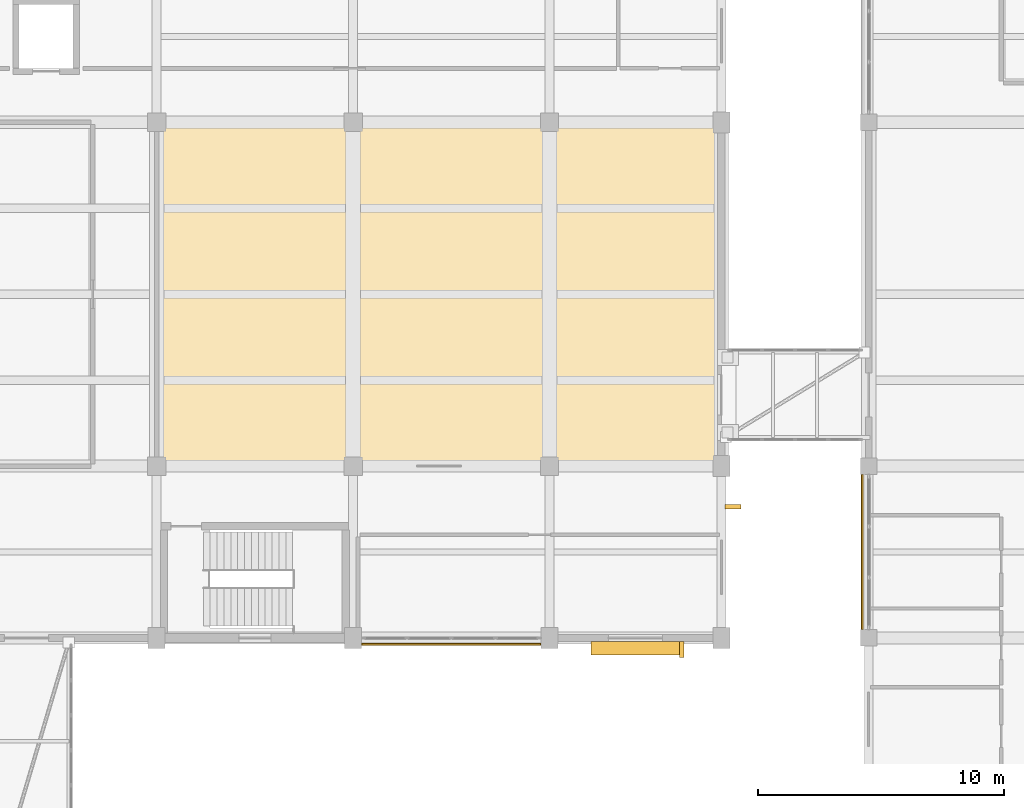
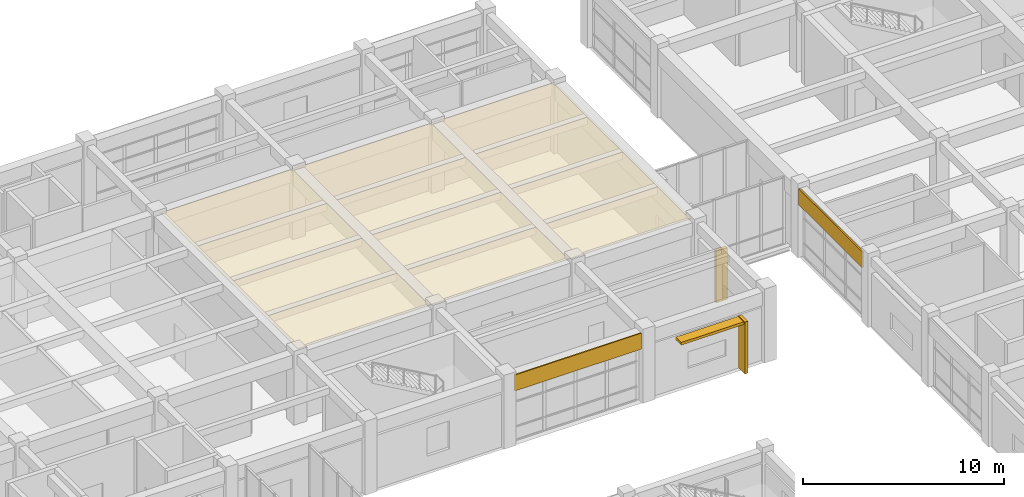
# One storey, part 68 of 72: 3 coverings, 3 shading devices.
"""IFC4 building model written with IfcOpenShell, lengths in metres."""

from ifc_helpers import new_model, si_unit, direction, frame, origin, origin_2d, place, context, subcontext, project, spatial, polyline, rectangle, outline, extrude, material, layer, layer_set, type_object, element, save


model = new_model("IFC4")

# Units and contexts
model_context = context("Model", 3, precision=1e-05, world=origin(), true_north=direction((0.0, 1.0)))
body_context = subcontext(model_context, "Body", "Model", "MODEL_VIEW")
ifc_project = project(units=[si_unit("LENGTHUNIT", "METRE"), si_unit("AREAUNIT", "SQUARE_METRE"), si_unit("VOLUMEUNIT", "CUBIC_METRE"), si_unit("PLANEANGLEUNIT", "RADIAN"), si_unit("MASSUNIT", "GRAM", prefix="KILO")], contexts=[model_context])

# Site, building, storey
site_placement = place(None, origin())
site = spatial("IfcSite", under=ifc_project, at=site_placement, CompositionType="ELEMENT")
building_placement = place(site_placement, origin())
building = spatial("IfcBuilding", under=site, at=building_placement, Name="Naurynzar Civic Courthouse", CompositionType="ELEMENT")
storey_placement = place(building_placement, frame((0.0, 0.0, 9.89990234375)))
storey = spatial("IfcBuildingStorey", under=building, at=storey_placement, Name="L03", CompositionType="ELEMENT", Elevation=9.89990234375)

# Coverings
ifc_material_1 = material(Name="Acoustic Oak Timber Grade A", Category="wood")
ifc_layer_1 = layer(ifc_material_1, 0.044921875)
ifc_layer_set_1 = layer_set([ifc_layer_1], Name="CEIL-ACOUSTIC-OAK-45")
covering_type_1 = type_object("IfcCoveringType", Name="CEIL-ACOUSTIC-OAK-45", PredefinedType="CEILING", material=ifc_layer_set_1)
covering_1_placement = place(storey_placement, frame((0.0, 0.0, 4.114990234375)))
element("IfcCovering", 1, at=covering_1_placement, inside=storey, type_object=covering_type_1, Name="Acoustic suspended ceiling Civil Chamber Courtroom L03-E", PredefinedType="CEILING", context=body_context, shape_type="SweptSolid", body=[
    extrude(outline(polyline([(123.840087890625, 51.159912109375), (101.159912109375, 51.159912109375), (101.159912109375, 64.840087890625), (123.840087890625, 64.840087890625), (123.840087890625, 51.159912109375)])), origin(), (0.0, 0.0, 1.0), 0.045166015625),
])
ifc_material_2 = material(Name="Precast concrete C40/50", Category="concrete")
ifc_layer_2 = layer(ifc_material_2, 0.080078125)
ifc_layer_set_2 = layer_set([ifc_layer_2], Name="COV-CLAD-PRECAST-80")
covering_type_2 = type_object("IfcCoveringType", Name="COV-CLAD-PRECAST-80", PredefinedType="CLADDING", material=ifc_layer_set_2)
covering_2_placement = place(storey_placement, frame((113.0, 43.7451171875, 3.22998046875), z_axis=(0.0, 0.0, 1.0), x_axis=(-1.0, 0.0, 0.0)))
element("IfcCovering", 2, at=covering_2_placement, inside=storey, type_object=covering_type_2, Name="V2 precast spandrel cladding 28", PredefinedType="CLADDING", context=body_context, shape_type="SweptSolid", body=[
    extrude(rectangle(XDim=7.300048828125, YDim=0.080078125, at=origin_2d()), origin(), (0.0, 0.0, 1.0), 0.969970703125),
])
covering_3_placement = place(storey_placement, frame((129.7451171875, 47.5, 3.22998046875), z_axis=(0.0, 0.0, 1.0), x_axis=(0.0, 1.0, 0.0)))
element("IfcCovering", 3, at=covering_3_placement, inside=storey, type_object=covering_type_2, Name="V5 precast spandrel cladding 92", PredefinedType="CLADDING", context=body_context, shape_type="SweptSolid", body=[
    extrude(rectangle(XDim=6.324951171875, YDim=0.080078125, at=origin_2d()), origin(), (0.0, 0.0, 1.0), 0.969970703125),
])

# Shading devices
ifc_material_3 = material(Name="Precast concrete C40/50", Category="concrete")
shading_device_type_1 = type_object("IfcShadingDeviceType", Name="SHD-FIN-V650", PredefinedType="JALOUSIE", material=ifc_material_3)
for number, where, z_axis, x_axis, name in (
    (4, (124.469970703125, 49.344970703125, 0.0400390625), (0.0, 0.0, 1.0), (0.0, -1.0, 0.0), "V2 vertical brise-soleil fin 15"),
    (5, (122.389892578125, 43.530029296875, 0.0400390625), (0.0, 0.0, 1.0), (-1.0, 0.0, 0.0), "V2 vertical brise-soleil fin 16"),
):
    element("IfcShadingDevice", number, at=place(storey_placement, frame(where, z_axis=z_axis, x_axis=x_axis)), inside=storey, type_object=shading_device_type_1, Name=name, PredefinedType="JALOUSIE", context=body_context, shape_type="SweptSolid", body=[
        extrude(rectangle(XDim=0.179931640625, YDim=0.64990234375, at=origin_2d()), origin(), (0.0, 0.0, 1.0), 3.14990234375),
    ])
ifc_material_4 = material(Name="Precast concrete C40/50", Category="concrete")
shading_device_type_2 = type_object("IfcShadingDeviceType", Name="SHD-LOUV-H550", PredefinedType="SHUTTER", material=ifc_material_4)
shading_device_placement = place(storey_placement, frame((120.5, 43.580078125, 2.990234375), z_axis=(0.0, 0.0, 1.0), x_axis=(-1.0, 0.0, 0.0)))
element("IfcShadingDevice", 6, at=shading_device_placement, inside=storey, type_object=shading_device_type_2, Name="V2 horizontal solar sun-breaker 16", PredefinedType="SHUTTER", context=body_context, shape_type="SweptSolid", body=[
    extrude(rectangle(XDim=3.60009765625, YDim=0.550048828125, at=origin_2d()), origin(), (0.0, 0.0, 1.0), 0.159912109375),
])

save(model, "model.ifc")
